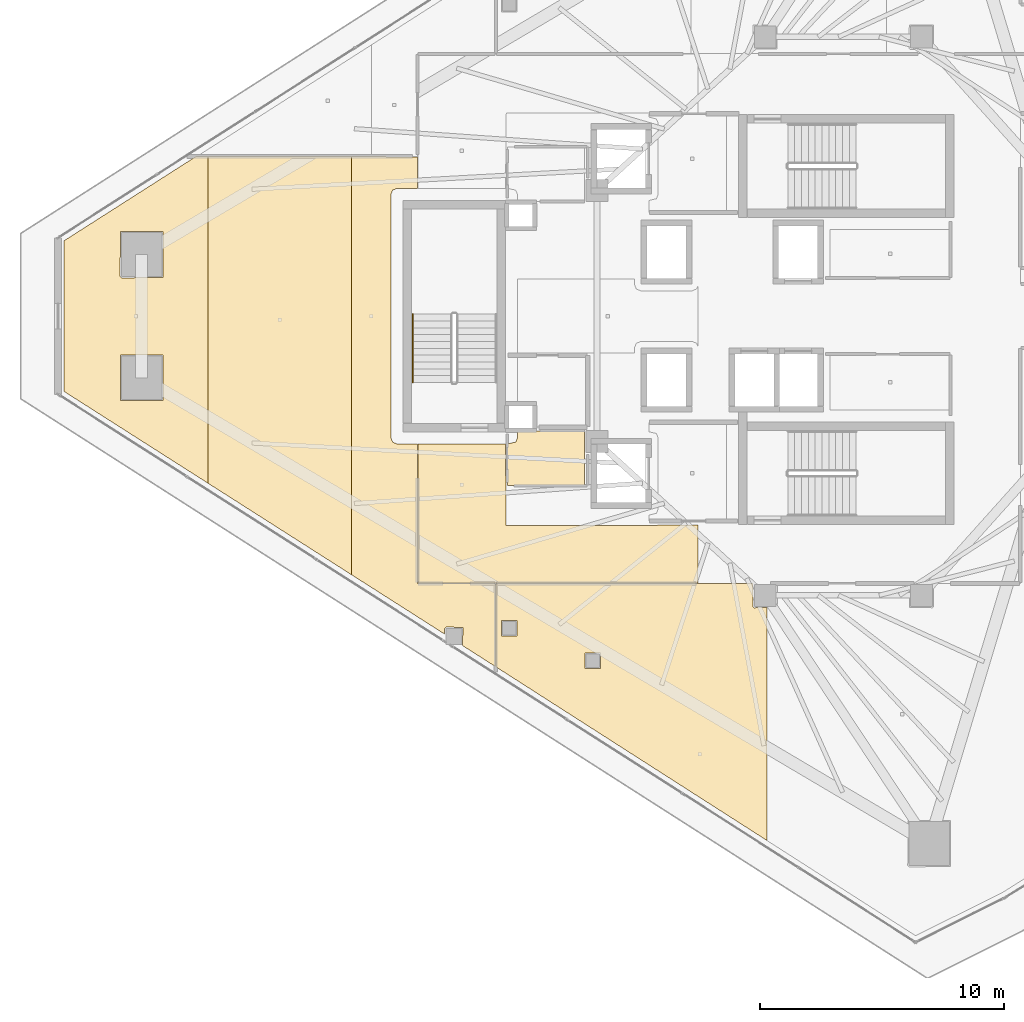
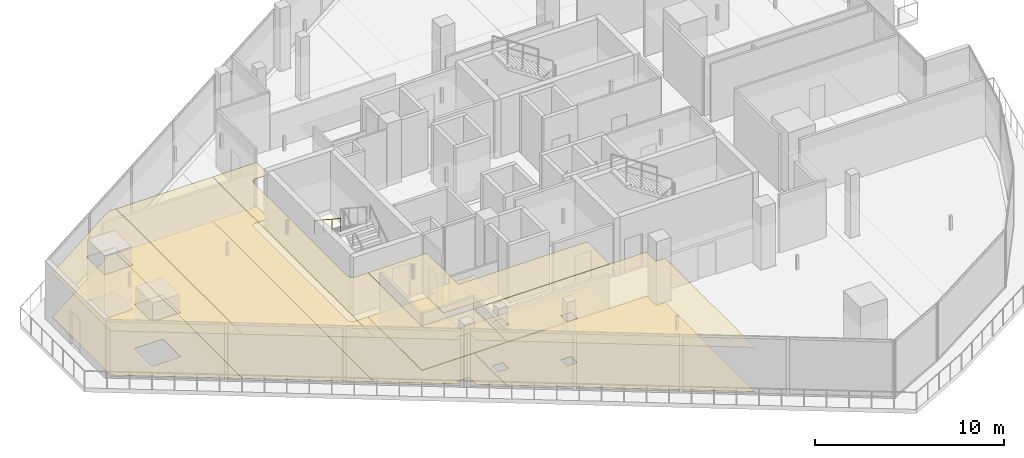
# One storey, part 29 of 34: 11 coverings, 1 railing.
"""IFC4 building model written with IfcOpenShell, lengths in metres."""

from ifc_helpers import new_model, si_unit, direction, frame, origin, origin_2d, place, context, subcontext, project, spatial, polyline, circle, outline, extrude, material, layer, layer_set, type_object, element, save


model = new_model("IFC4")

# Units and contexts
model_context = context("Model", 3, precision=1e-05, world=origin(), true_north=direction((0.0, 1.0)))
body_context = subcontext(model_context, "Body", "Model", "MODEL_VIEW")
ifc_project = project(units=[si_unit("LENGTHUNIT", "METRE"), si_unit("AREAUNIT", "SQUARE_METRE"), si_unit("VOLUMEUNIT", "CUBIC_METRE"), si_unit("PLANEANGLEUNIT", "RADIAN"), si_unit("MASSUNIT", "GRAM", prefix="KILO")], contexts=[model_context])

# Site, building, storey
site_placement = place(None, origin())
site = spatial("IfcSite", under=ifc_project, at=site_placement, CompositionType="ELEMENT")
building_placement = place(site_placement, origin())
building = spatial("IfcBuilding", under=site, at=building_placement, Name="Qorvath Tower", CompositionType="ELEMENT")
storey_placement = place(building_placement, frame((0.0, 0.0, 245.550048828125)))
storey = spatial("IfcBuildingStorey", under=building, at=storey_placement, Name="L57", CompositionType="ELEMENT", Elevation=245.550048828125)

# Coverings
ifc_material_1 = material(Name="Acoustic mineral fibre ceiling tile", Category="gypsum")
ifc_layer_1 = layer(ifc_material_1, 0.030029296875)
ifc_layer_set_1 = layer_set([ifc_layer_1], Name="COV-CEIL")
covering_type_1 = type_object("IfcCoveringType", Name="COV-CEIL", PredefinedType="CEILING", material=ifc_layer_set_1)
covering_1_placement = place(storey_placement, frame((0.0, 0.0, 2.849853515625)))
element("IfcCovering", 1, at=covering_1_placement, inside=storey, type_object=covering_type_1, Name="L57 Suspended Acoustic Ceiling 008", PredefinedType="CEILING", context=body_context, shape_type="SweptSolid", body=[
    extrude(outline(polyline([(-34.22509765625, -8.580078125), (-34.251220703125, -5.239990234375), (-37.844970703125, -5.239990234375), (-37.844970703125, -10.945068359375), (-26.34716796875, -10.945068359375), (-26.34716796875, -8.574951171875), (-34.22509765625, -8.580078125)])), origin(), (0.0, 0.0, 1.0), 0.030029296875),
])
covering_2_placement = place(storey_placement, frame((0.0, 0.0, 2.849853515625)))
element("IfcCovering", 2, at=covering_2_placement, inside=storey, type_object=covering_type_1, Name="L57 Suspended Acoustic Ceiling 014", PredefinedType="CEILING", context=body_context, shape_type="SweptSolid", body=[
    extrude(outline(polyline([(-34.64501953125, -14.384033203125), (-23.53759765625, -21.49853515625), (-23.53759765625, -11.950439453125), (-24.050048828125, -11.9599609375), (-24.110107421875, -11.89990234375), (-24.0947265625, -10.962890625), (-34.64501953125, -10.962890625), (-34.64501953125, -14.384033203125)]), holes=[polyline([(-30.99462890625, -14.441650390625), (-30.99462890625, -13.806884765625), (-30.35986328125, -13.806884765625), (-30.35986328125, -14.441650390625), (-30.99462890625, -14.441650390625)]), polyline([(-34.421630859375, -13.10986328125), (-34.421630859375, -12.47509765625), (-33.786865234375, -12.47509765625), (-33.786865234375, -13.10986328125), (-34.421630859375, -13.10986328125)])]), origin(), (0.0, 0.0, 1.0), 0.030029296875),
])
covering_3_placement = place(storey_placement, frame((0.0, 0.0, 2.849853515625)))
element("IfcCovering", 3, at=covering_3_placement, inside=storey, type_object=covering_type_1, Name="L57 Suspended Acoustic Ceiling 025", PredefinedType="CEILING", context=body_context, shape_type="SweptSolid", body=[
    extrude(outline(polyline([(-52.35693359375, 3.087646484375), (-52.360107421875, -3.085205078125), (-46.4609375, -6.8466796875), (-46.4609375, 6.5361328125), (-46.95849609375, 6.5361328125), (-52.35693359375, 3.087646484375)]), holes=[polyline([(-50.056884765625, 1.627685546875), (-50.039306640625, 3.47021484375), (-48.304443359375, 3.47021484375), (-48.304443359375, 1.58544921875), (-49.996826171875, 1.56787109375), (-50.056884765625, 1.627685546875)]), polyline([(-50.039306640625, -3.47021484375), (-50.039306640625, -1.58544921875), (-48.304443359375, -1.58544921875), (-48.304443359375, -3.47021484375), (-50.039306640625, -3.47021484375)])]), origin(), (0.0, 0.0, 1.0), 0.030029296875),
])
covering_4_placement = place(storey_placement, frame((0.0, 0.0, 2.849853515625)))
element("IfcCovering", 4, at=covering_4_placement, inside=storey, type_object=covering_type_1, Name="L57 Suspended Acoustic Ceiling 026", PredefinedType="CEILING", context=body_context, shape_type="SweptSolid", body=[
    extrude(outline(polyline([(-46.4609375, 6.5361328125), (-46.4609375, -6.8466796875), (-40.56201171875, -10.608154296875), (-40.56201171875, 6.535400390625), (-46.4609375, 6.5361328125)])), origin(), (0.0, 0.0, 1.0), 0.030029296875),
])
covering_5_placement = place(storey_placement, frame((0.0, 0.0, 2.849853515625)))
element("IfcCovering", 5, at=covering_5_placement, inside=storey, type_object=covering_type_1, Name="L57 Suspended Acoustic Ceiling 027", PredefinedType="CEILING", context=body_context, shape_type="SweptSolid", body=[
    extrude(outline(polyline([(-40.56201171875, 6.535400390625), (-40.56201171875, -10.608154296875), (-36.749755859375, -13.0390625), (-36.749755859375, -12.810546875), (-36.689697265625, -12.75048828125), (-35.997314453125, -12.76806640625), (-36.013427734375, -13.509521484375), (-34.6630859375, -14.37255859375), (-34.6630859375, -10.962890625), (-37.861572265625, -10.96142578125), (-37.863037109375, -5.239990234375), (-38.699951171875, -5.239990234375), (-38.876708984375, -5.166748046875), (-38.949951171875, -4.989990234375), (-38.949951171875, 4.989990234375), (-38.876708984375, 5.166748046875), (-38.699951171875, 5.239990234375), (-37.863037109375, 5.239990234375), (-37.863037109375, 6.53515625), (-40.56201171875, 6.535400390625)])), origin(), (0.0, 0.0, 1.0), 0.030029296875),
])
ifc_material_2 = material(Name="Low-VOC modular carpet tile", Category="textile")
ifc_layer_2 = layer(ifc_material_2, 0.014892578125)
ifc_layer_set_2 = layer_set([ifc_layer_2], Name="COV-FLOOR-CPT")
covering_type_2 = type_object("IfcCoveringType", Name="COV-FLOOR-CPT", PredefinedType="FLOORING", material=ifc_layer_set_2)
covering_6_placement = place(storey_placement, origin())
element("IfcCovering", 6, at=covering_6_placement, inside=storey, type_object=covering_type_2, Name="L57 Floor Finish 014", PredefinedType="FLOORING", context=body_context, shape_type="SweptSolid", body=[
    extrude(outline(polyline([(-34.64501953125, -14.384033203125), (-23.53759765625, -21.49853515625), (-23.53759765625, -11.950439453125), (-24.050048828125, -11.9599609375), (-24.110107421875, -11.89990234375), (-24.0947265625, -10.962890625), (-34.64501953125, -10.962890625), (-34.64501953125, -14.384033203125)]), holes=[polyline([(-30.99462890625, -14.441650390625), (-30.99462890625, -13.806884765625), (-30.35986328125, -13.806884765625), (-30.35986328125, -14.441650390625), (-30.99462890625, -14.441650390625)]), polyline([(-34.421630859375, -13.10986328125), (-34.421630859375, -12.47509765625), (-33.786865234375, -12.47509765625), (-33.786865234375, -13.10986328125), (-34.421630859375, -13.10986328125)])]), origin(), (0.0, 0.0, 1.0), 0.014892578125),
])
covering_7_placement = place(storey_placement, origin())
element("IfcCovering", 7, at=covering_7_placement, inside=storey, type_object=covering_type_2, Name="L57 Floor Finish 025", PredefinedType="FLOORING", context=body_context, shape_type="SweptSolid", body=[
    extrude(outline(polyline([(-52.35693359375, 3.087646484375), (-52.360107421875, -3.085205078125), (-46.4609375, -6.8466796875), (-46.4609375, 6.5361328125), (-46.95849609375, 6.5361328125), (-52.35693359375, 3.087646484375)]), holes=[polyline([(-50.056884765625, 1.627685546875), (-50.039306640625, 3.47021484375), (-48.304443359375, 3.47021484375), (-48.304443359375, 1.58544921875), (-49.996826171875, 1.56787109375), (-50.056884765625, 1.627685546875)]), polyline([(-50.039306640625, -3.47021484375), (-50.039306640625, -1.58544921875), (-48.304443359375, -1.58544921875), (-48.304443359375, -3.47021484375), (-50.039306640625, -3.47021484375)])]), origin(), (0.0, 0.0, 1.0), 0.014892578125),
])
covering_8_placement = place(storey_placement, origin())
element("IfcCovering", 8, at=covering_8_placement, inside=storey, type_object=covering_type_2, Name="L57 Floor Finish 026", PredefinedType="FLOORING", context=body_context, shape_type="SweptSolid", body=[
    extrude(outline(polyline([(-46.4609375, 6.5361328125), (-46.4609375, -6.8466796875), (-40.56201171875, -10.608154296875), (-40.56201171875, 6.535400390625), (-46.4609375, 6.5361328125)])), origin(), (0.0, 0.0, 1.0), 0.014892578125),
])
covering_9_placement = place(storey_placement, origin())
element("IfcCovering", 9, at=covering_9_placement, inside=storey, type_object=covering_type_2, Name="L57 Floor Finish 027", PredefinedType="FLOORING", context=body_context, shape_type="SweptSolid", body=[
    extrude(outline(polyline([(-40.56201171875, 6.535400390625), (-40.56201171875, -10.608154296875), (-36.749755859375, -13.0390625), (-36.749755859375, -12.810546875), (-36.689697265625, -12.75048828125), (-35.997314453125, -12.76806640625), (-36.013427734375, -13.509521484375), (-34.6630859375, -14.37255859375), (-34.6630859375, -10.962890625), (-37.861572265625, -10.96142578125), (-37.863037109375, -5.239990234375), (-38.699951171875, -5.239990234375), (-38.876708984375, -5.166748046875), (-38.949951171875, -4.989990234375), (-38.949951171875, 4.989990234375), (-38.876708984375, 5.166748046875), (-38.699951171875, 5.239990234375), (-37.863037109375, 5.239990234375), (-37.863037109375, 6.53515625), (-40.56201171875, 6.535400390625)])), origin(), (0.0, 0.0, 1.0), 0.014892578125),
])
ifc_material_3 = material(Name="Polished epoxy terrazzo flooring", Category="concrete")
ifc_layer_3 = layer(ifc_material_3, 0.02001953125)
ifc_layer_set_3 = layer_set([ifc_layer_3], Name="COV-FLOOR-TRZ")
covering_type_3 = type_object("IfcCoveringType", Name="COV-FLOOR-TRZ", PredefinedType="FLOORING", material=ifc_layer_set_3)
covering_10_placement = place(storey_placement, origin())
element("IfcCovering", 10, at=covering_10_placement, inside=storey, type_object=covering_type_3, Name="L57 Floor Finish 006", PredefinedType="FLOORING", context=body_context, shape_type="SweptSolid", body=[
    extrude(outline(polyline([(-33.760009765625, -4.705078125), (-33.760009765625, -4.989990234375), (-33.833251953125, -5.166748046875), (-34.175048828125, -5.239990234375), (-34.175048828125, -6.945068359375), (-31.010009765625, -6.945068359375), (-31.010009765625, -4.705078125), (-33.760009765625, -4.705078125)])), origin(), (0.0, 0.0, 1.0), 0.014892578125),
])
covering_11_placement = place(storey_placement, origin())
element("IfcCovering", 11, at=covering_11_placement, inside=storey, type_object=covering_type_3, Name="L57 Floor Finish 008", PredefinedType="FLOORING", context=body_context, shape_type="SweptSolid", body=[
    extrude(outline(polyline([(-34.22509765625, -8.580078125), (-34.251220703125, -5.239990234375), (-37.844970703125, -5.239990234375), (-37.844970703125, -10.945068359375), (-26.34716796875, -10.945068359375), (-26.34716796875, -8.574951171875), (-34.22509765625, -8.580078125)])), origin(), (0.0, 0.0, 1.0), 0.014892578125),
])

# Railing
ifc_material_4 = material(Name="Brushed stainless steel AISI 304", Category="steel")
railing_type = type_object("IfcRailingType", Name="RL-STR-HND", PredefinedType="HANDRAIL", material=ifc_material_4)
railing_placement = place(storey_placement, frame((-38.06005859375, 0.080078125, 2.208984375)))
element("IfcRailing", 12, at=railing_placement, inside=storey, type_object=railing_type, Name="L57 TS3 stair handrail 2", PredefinedType="HANDRAIL", context=body_context, shape_type="SweptSolid", body=[
    extrude(circle(Radius=0.02392578125, at=origin_2d()), frame((0.0, 0.0, 0.8759765625), z_axis=(0.0, -0.83556406348, 0.549393024911), x_axis=(1.0, 0.0, 0.0)), (0.0, 0.0, 1.0), 3.35107421875),
    extrude(circle(Radius=0.02099609375, at=origin_2d()), origin(), (0.0, 0.0, 1.0), 0.851806640625),
    extrude(circle(Radius=0.02099609375, at=origin_2d()), frame((0.0, -0.933349609375, 0.61376953125)), (0.0, 0.0, 1.0), 0.851806640625),
    extrude(circle(Radius=0.02099609375, at=origin_2d()), frame((0.0, -1.86669921875, 1.227294921875)), (0.0, 0.0, 1.0), 0.851806640625),
    extrude(circle(Radius=0.02099609375, at=origin_2d()), frame((0.0, -2.800048828125, 1.841064453125)), (0.0, 0.0, 1.0), 0.851806640625),
])

save(model, "model.ifc")
